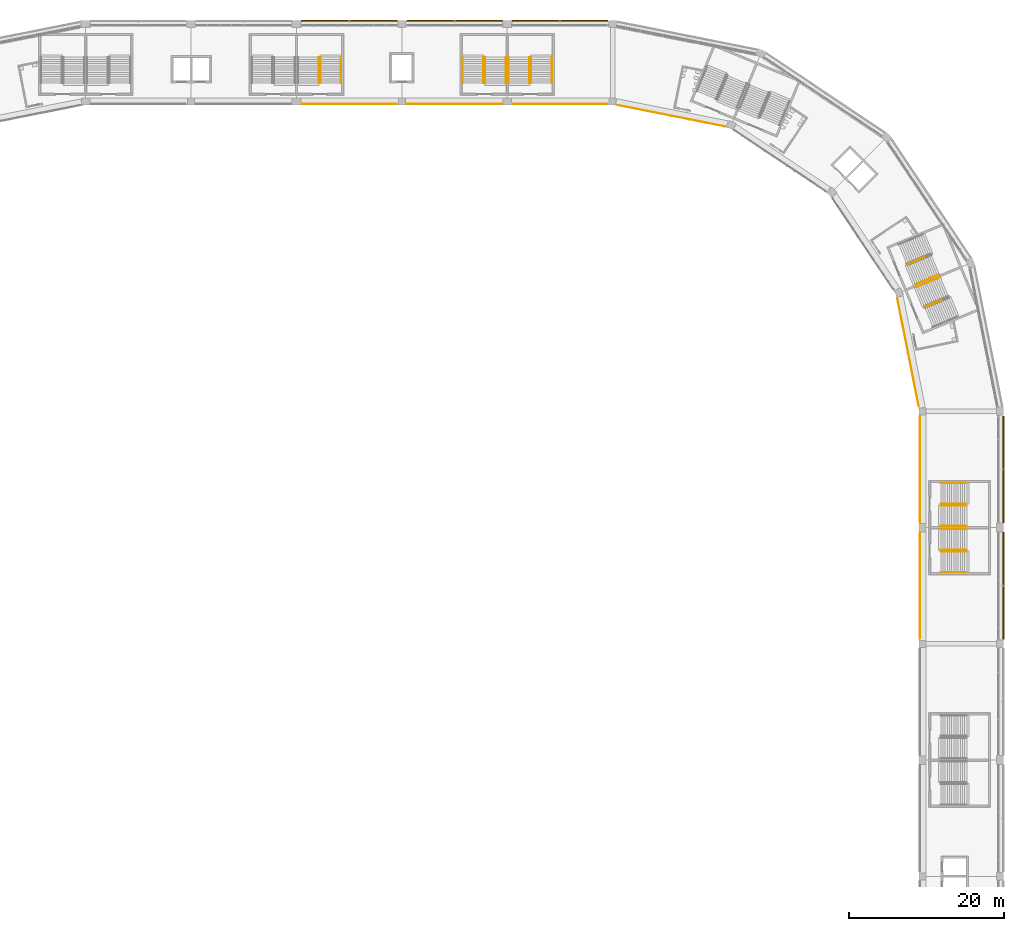
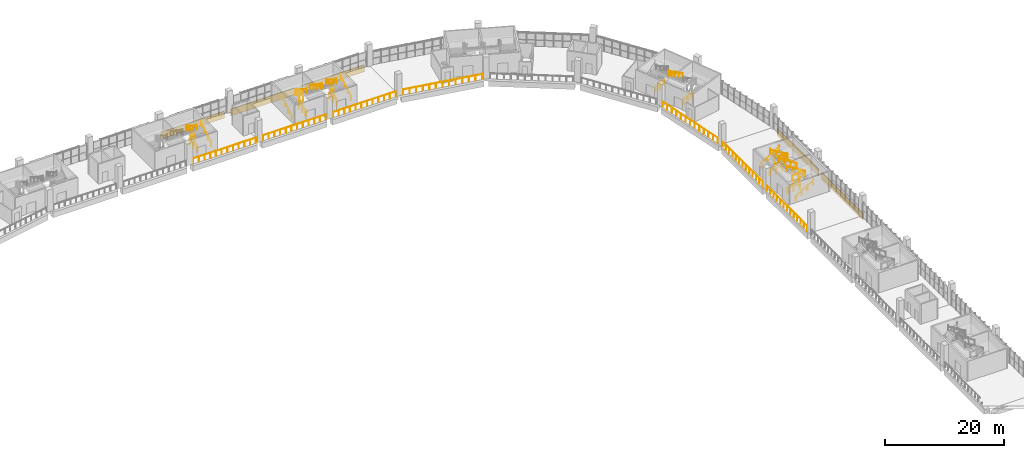
# One storey, part 170 of 177: 40 railings, 5 coverings.
"""IFC4 building model written with IfcOpenShell, lengths in metres."""

from ifc_helpers import new_model, si_unit, direction, frame, origin, origin_2d, place, context, subcontext, project, spatial, polyline, circle, outline, extrude, material, layer, layer_set, type_object, element, save


model = new_model("IFC4")

# Units and contexts
model_context = context("Model", 3, precision=1e-05, world=origin(), true_north=direction((0.0, 1.0)))
body_context = subcontext(model_context, "Body", "Model", "MODEL_VIEW")
ifc_project = project(units=[si_unit("LENGTHUNIT", "METRE"), si_unit("AREAUNIT", "SQUARE_METRE"), si_unit("VOLUMEUNIT", "CUBIC_METRE"), si_unit("PLANEANGLEUNIT", "RADIAN"), si_unit("MASSUNIT", "GRAM", prefix="KILO")], contexts=[model_context])

# Site, building, storey
site_placement = place(None, origin())
site = spatial("IfcSite", under=ifc_project, at=site_placement, CompositionType="ELEMENT")
building_placement = place(site_placement, origin())
building = spatial("IfcBuilding", under=site, at=building_placement, Name="Ogive Plaza Stadium", CompositionType="ELEMENT")
storey_placement = place(building_placement, frame((0.0, 0.0, 18.0)))
storey = spatial("IfcBuildingStorey", under=building, at=storey_placement, Name="L04", CompositionType="ELEMENT", Elevation=18.0)

# Railings
ifc_material_1 = material(Name="Steel ASTM A572 Grade 50", Category="steel")
railing_type_1 = type_object("IfcRailingType", Name="Guard 1100", PredefinedType="GUARDRAIL", material=ifc_material_1)
for number, where, name in (
    (1, (76.35009765625, 34.52490234375, 0.0), "Stair well guard ST02A L04"),
    (2, (77.31005859375, 34.52490234375, 2.25), "Stair well guard ST02A L04"),
    (3, (76.35009765625, 40.47509765625, 0.0), "Stair well guard ST02B L04"),
    (4, (77.31005859375, 40.47509765625, 2.25), "Stair well guard ST02B L04"),
):
    element("IfcRailing", number, at=place(storey_placement, frame(where)), inside=storey, type_object=railing_type_1, Name=name, PredefinedType="GUARDRAIL", context=body_context, shape_type="SweptSolid", body=[
        extrude(circle(Radius=0.02392578125, at=origin_2d()), frame((0.0, 0.0, 1.076171875), z_axis=(1.0, 0.0, 0.0), x_axis=(0.0, 1.0, 0.0)), (0.0, 0.0, 1.0), 2.39990234375),
        extrude(circle(Radius=0.02099609375, at=origin_2d()), origin(), (0.0, 0.0, 1.0), 1.052001953125),
        extrude(circle(Radius=0.02099609375, at=origin_2d()), frame((1.199951171875, 0.0, 0.0)), (0.0, 0.0, 1.0), 1.052001953125),
        extrude(circle(Radius=0.02099609375, at=origin_2d()), frame((2.39990234375, 0.0, 0.0)), (0.0, 0.0, 1.0), 1.052001953125),
    ])
for number, where, name in (
    (5, (-3.824951171875, 94.85009765625, 0.0), "Stair well guard ST34A L04"),
    (6, (-3.824951171875, 95.81005859375, 2.25), "Stair well guard ST34A L04"),
    (7, (23.375, 94.85009765625, 0.0), "Stair well guard ST36A L04"),
    (8, (23.375, 95.81005859375, 2.25), "Stair well guard ST36A L04"),
    (9, (17.425048828125, 94.85009765625, 0.0), "Stair well guard ST36B L04"),
    (10, (17.425048828125, 95.81005859375, 2.25), "Stair well guard ST36B L04"),
):
    element("IfcRailing", number, at=place(storey_placement, frame(where)), inside=storey, type_object=railing_type_1, Name=name, PredefinedType="GUARDRAIL", context=body_context, shape_type="SweptSolid", body=[
        extrude(circle(Radius=0.02392578125, at=origin_2d()), frame((0.0, 0.0, 1.076171875), z_axis=(0.0, 1.0, 0.0), x_axis=(-1.0, 0.0, 0.0)), (0.0, 0.0, 1.0), 2.39990234375),
        extrude(circle(Radius=0.02099609375, at=origin_2d()), origin(), (0.0, 0.0, 1.0), 1.052001953125),
        extrude(circle(Radius=0.02099609375, at=origin_2d()), frame((0.0, 1.199951171875, 0.0)), (0.0, 0.0, 1.0), 1.052001953125),
        extrude(circle(Radius=0.02099609375, at=origin_2d()), frame((0.0, 2.39990234375, 0.0)), (0.0, 0.0, 1.0), 1.052001953125),
    ])
for number, where, name in (
    (11, (74.264892578125, 65.9580078125, 0.0), "Stair well guard ST40A L04"),
    (12, (71.98779296875, 71.455078125, 0.0), "Stair well guard ST40B L04"),
):
    element("IfcRailing", number, at=place(storey_placement, frame(where)), inside=storey, type_object=railing_type_1, Name=name, PredefinedType="GUARDRAIL", context=body_context, shape_type="SweptSolid", body=[
        extrude(circle(Radius=0.02392578125, at=origin_2d()), frame((0.0, 0.0, 1.076171875), z_axis=(0.923875488976, 0.382693194178, 0.0), x_axis=(-0.382693194178, 0.923875488976, 0.0)), (0.0, 0.0, 1.0), 2.39990234375),
        extrude(circle(Radius=0.02099609375, at=origin_2d()), origin(), (0.0, 0.0, 1.0), 1.052001953125),
        extrude(circle(Radius=0.02099609375, at=origin_2d()), frame((1.108642578125, 0.459228515625, 0.0)), (0.0, 0.0, 1.0), 1.052001953125),
        extrude(circle(Radius=0.02099609375, at=origin_2d()), frame((2.21728515625, 0.91845703125, 0.0)), (0.0, 0.0, 1.0), 1.052001953125),
    ])
railing_1_placement = place(storey_placement, frame((73.64990234375, 51.800048828125, 0.0)))
element("IfcRailing", 13, at=railing_1_placement, inside=storey, type_object=railing_type_1, Name="Guard L04 B01", PredefinedType="GUARDRAIL", context=body_context, shape_type="SweptSolid", body=[
    extrude(circle(Radius=0.02392578125, at=origin_2d()), frame((0.0, 0.0, 1.076171875), z_axis=(0.0, -1.0, 0.0), x_axis=(1.0, 0.0, 0.0)), (0.0, 0.0, 1.0), 13.60009765625),
    extrude(circle(Radius=0.02099609375, at=origin_2d()), origin(), (0.0, 0.0, 1.0), 1.052001953125),
    extrude(circle(Radius=0.02099609375, at=origin_2d()), frame((0.0, -1.13330078125, 0.0)), (0.0, 0.0, 1.0), 1.052001953125),
    extrude(circle(Radius=0.02099609375, at=origin_2d()), frame((0.0, -2.2666015625, 0.0)), (0.0, 0.0, 1.0), 1.052001953125),
    extrude(circle(Radius=0.02099609375, at=origin_2d()), frame((0.0, -3.39990234375, 0.0)), (0.0, 0.0, 1.0), 1.052001953125),
    extrude(circle(Radius=0.02099609375, at=origin_2d()), frame((0.0, -4.533447265625, 0.0)), (0.0, 0.0, 1.0), 1.052001953125),
    extrude(circle(Radius=0.02099609375, at=origin_2d()), frame((0.0, -5.666748046875, 0.0)), (0.0, 0.0, 1.0), 1.052001953125),
    extrude(circle(Radius=0.02099609375, at=origin_2d()), frame((0.0, -6.800048828125, 0.0)), (0.0, 0.0, 1.0), 1.052001953125),
    extrude(circle(Radius=0.02099609375, at=origin_2d()), frame((0.0, -7.933349609375, 0.0)), (0.0, 0.0, 1.0), 1.052001953125),
    extrude(circle(Radius=0.02099609375, at=origin_2d()), frame((0.0, -9.066650390625, 0.0)), (0.0, 0.0, 1.0), 1.052001953125),
    extrude(circle(Radius=0.02099609375, at=origin_2d()), frame((0.0, -10.2001953125, 0.0)), (0.0, 0.0, 1.0), 1.052001953125),
    extrude(circle(Radius=0.02099609375, at=origin_2d()), frame((0.0, -11.33349609375, 0.0)), (0.0, 0.0, 1.0), 1.052001953125),
    extrude(circle(Radius=0.02099609375, at=origin_2d()), frame((0.0, -12.466796875, 0.0)), (0.0, 0.0, 1.0), 1.052001953125),
    extrude(circle(Radius=0.02099609375, at=origin_2d()), frame((0.0, -13.60009765625, 0.0)), (0.0, 0.0, 1.0), 1.052001953125),
])
railing_2_placement = place(storey_placement, frame((73.64990234375, 36.800048828125, 0.0)))
element("IfcRailing", 14, at=railing_2_placement, inside=storey, type_object=railing_type_1, Name="Guard L04 B02", PredefinedType="GUARDRAIL", context=body_context, shape_type="SweptSolid", body=[
    extrude(circle(Radius=0.02392578125, at=origin_2d()), frame((0.0, 0.0, 1.076171875), z_axis=(0.0, -1.0, 0.0), x_axis=(1.0, 0.0, 0.0)), (0.0, 0.0, 1.0), 13.60009765625),
    extrude(circle(Radius=0.02099609375, at=origin_2d()), origin(), (0.0, 0.0, 1.0), 1.052001953125),
    extrude(circle(Radius=0.02099609375, at=origin_2d()), frame((0.0, -1.13330078125, 0.0)), (0.0, 0.0, 1.0), 1.052001953125),
    extrude(circle(Radius=0.02099609375, at=origin_2d()), frame((0.0, -2.2666015625, 0.0)), (0.0, 0.0, 1.0), 1.052001953125),
    extrude(circle(Radius=0.02099609375, at=origin_2d()), frame((0.0, -3.39990234375, 0.0)), (0.0, 0.0, 1.0), 1.052001953125),
    extrude(circle(Radius=0.02099609375, at=origin_2d()), frame((0.0, -4.533447265625, 0.0)), (0.0, 0.0, 1.0), 1.052001953125),
    extrude(circle(Radius=0.02099609375, at=origin_2d()), frame((0.0, -5.666748046875, 0.0)), (0.0, 0.0, 1.0), 1.052001953125),
    extrude(circle(Radius=0.02099609375, at=origin_2d()), frame((0.0, -6.800048828125, 0.0)), (0.0, 0.0, 1.0), 1.052001953125),
    extrude(circle(Radius=0.02099609375, at=origin_2d()), frame((0.0, -7.933349609375, 0.0)), (0.0, 0.0, 1.0), 1.052001953125),
    extrude(circle(Radius=0.02099609375, at=origin_2d()), frame((0.0, -9.066650390625, 0.0)), (0.0, 0.0, 1.0), 1.052001953125),
    extrude(circle(Radius=0.02099609375, at=origin_2d()), frame((0.0, -10.2001953125, 0.0)), (0.0, 0.0, 1.0), 1.052001953125),
    extrude(circle(Radius=0.02099609375, at=origin_2d()), frame((0.0, -11.33349609375, 0.0)), (0.0, 0.0, 1.0), 1.052001953125),
    extrude(circle(Radius=0.02099609375, at=origin_2d()), frame((0.0, -12.466796875, 0.0)), (0.0, 0.0, 1.0), 1.052001953125),
    extrude(circle(Radius=0.02099609375, at=origin_2d()), frame((0.0, -13.60009765625, 0.0)), (0.0, 0.0, 1.0), 1.052001953125),
])
railing_3_placement = place(storey_placement, frame((-6.10009765625, 92.14990234375, 0.0)))
element("IfcRailing", 15, at=railing_3_placement, inside=storey, type_object=railing_type_1, Name="Guard L04 B34", PredefinedType="GUARDRAIL", context=body_context, shape_type="SweptSolid", body=[
    extrude(circle(Radius=0.02392578125, at=origin_2d()), frame((0.0, 0.0, 1.076171875), z_axis=(1.0, 0.0, 0.0), x_axis=(0.0, 1.0, 0.0)), (0.0, 0.0, 1.0), 12.2001953125),
    extrude(circle(Radius=0.02099609375, at=origin_2d()), origin(), (0.0, 0.0, 1.0), 1.052001953125),
    extrude(circle(Radius=0.02099609375, at=origin_2d()), frame((1.109130859375, 0.0, 0.0)), (0.0, 0.0, 1.0), 1.052001953125),
    extrude(circle(Radius=0.02099609375, at=origin_2d()), frame((2.21826171875, 0.0, 0.0)), (0.0, 0.0, 1.0), 1.052001953125),
    extrude(circle(Radius=0.02099609375, at=origin_2d()), frame((3.327392578125, 0.0, 0.0)), (0.0, 0.0, 1.0), 1.052001953125),
    extrude(circle(Radius=0.02099609375, at=origin_2d()), frame((4.4365234375, 0.0, 0.0)), (0.0, 0.0, 1.0), 1.052001953125),
    extrude(circle(Radius=0.02099609375, at=origin_2d()), frame((5.545654296875, 0.0, 0.0)), (0.0, 0.0, 1.0), 1.052001953125),
    extrude(circle(Radius=0.02099609375, at=origin_2d()), frame((6.654541015625, 0.0, 0.0)), (0.0, 0.0, 1.0), 1.052001953125),
    extrude(circle(Radius=0.02099609375, at=origin_2d()), frame((7.763671875, 0.0, 0.0)), (0.0, 0.0, 1.0), 1.052001953125),
    extrude(circle(Radius=0.02099609375, at=origin_2d()), frame((8.872802734375, 0.0, 0.0)), (0.0, 0.0, 1.0), 1.052001953125),
    extrude(circle(Radius=0.02099609375, at=origin_2d()), frame((9.98193359375, 0.0, 0.0)), (0.0, 0.0, 1.0), 1.052001953125),
    extrude(circle(Radius=0.02099609375, at=origin_2d()), frame((11.091064453125, 0.0, 0.0)), (0.0, 0.0, 1.0), 1.052001953125),
    extrude(circle(Radius=0.02099609375, at=origin_2d()), frame((12.2001953125, 0.0, 0.0)), (0.0, 0.0, 1.0), 1.052001953125),
])
for number, where, name in (
    (16, (7.5, 92.14990234375, 0.0), "Guard L04 B35"),
    (17, (21.10009765625, 92.14990234375, 0.0), "Guard L04 B36"),
):
    element("IfcRailing", number, at=place(storey_placement, frame(where)), inside=storey, type_object=railing_type_1, Name=name, PredefinedType="GUARDRAIL", context=body_context, shape_type="SweptSolid", body=[
        extrude(circle(Radius=0.02392578125, at=origin_2d()), frame((0.0, 0.0, 1.076171875), z_axis=(1.0, 0.0, 0.0), x_axis=(0.0, 1.0, 0.0)), (0.0, 0.0, 1.0), 12.199951171875),
        extrude(circle(Radius=0.02099609375, at=origin_2d()), origin(), (0.0, 0.0, 1.0), 1.052001953125),
        extrude(circle(Radius=0.02099609375, at=origin_2d()), frame((1.109130859375, 0.0, 0.0)), (0.0, 0.0, 1.0), 1.052001953125),
        extrude(circle(Radius=0.02099609375, at=origin_2d()), frame((2.21826171875, 0.0, 0.0)), (0.0, 0.0, 1.0), 1.052001953125),
        extrude(circle(Radius=0.02099609375, at=origin_2d()), frame((3.3271484375, 0.0, 0.0)), (0.0, 0.0, 1.0), 1.052001953125),
        extrude(circle(Radius=0.02099609375, at=origin_2d()), frame((4.436279296875, 0.0, 0.0)), (0.0, 0.0, 1.0), 1.052001953125),
        extrude(circle(Radius=0.02099609375, at=origin_2d()), frame((5.54541015625, 0.0, 0.0)), (0.0, 0.0, 1.0), 1.052001953125),
        extrude(circle(Radius=0.02099609375, at=origin_2d()), frame((6.654541015625, 0.0, 0.0)), (0.0, 0.0, 1.0), 1.052001953125),
        extrude(circle(Radius=0.02099609375, at=origin_2d()), frame((7.763671875, 0.0, 0.0)), (0.0, 0.0, 1.0), 1.052001953125),
        extrude(circle(Radius=0.02099609375, at=origin_2d()), frame((8.872802734375, 0.0, 0.0)), (0.0, 0.0, 1.0), 1.052001953125),
        extrude(circle(Radius=0.02099609375, at=origin_2d()), frame((9.981689453125, 0.0, 0.0)), (0.0, 0.0, 1.0), 1.052001953125),
        extrude(circle(Radius=0.02099609375, at=origin_2d()), frame((11.0908203125, 0.0, 0.0)), (0.0, 0.0, 1.0), 1.052001953125),
        extrude(circle(Radius=0.02099609375, at=origin_2d()), frame((12.199951171875, 0.0, 0.0)), (0.0, 0.0, 1.0), 1.052001953125),
    ])
railing_4_placement = place(storey_placement, frame((34.6865234375, 92.013427734375, 0.0)))
element("IfcRailing", 18, at=railing_4_placement, inside=storey, type_object=railing_type_1, Name="Guard L04 B37", PredefinedType="GUARDRAIL", context=body_context, shape_type="SweptSolid", body=[
    extrude(circle(Radius=0.02392578125, at=origin_2d()), frame((0.0, 0.0, 1.076171875), z_axis=(0.980784352387, -0.195094987408, 0.0), x_axis=(0.195094987408, 0.980784352387, 0.0)), (0.0, 0.0, 1.0), 14.070556640625),
    extrude(circle(Radius=0.02099609375, at=origin_2d()), origin(), (0.0, 0.0, 1.0), 1.052001953125),
    extrude(circle(Radius=0.02099609375, at=origin_2d()), frame((1.14990234375, -0.228759765625, 0.0)), (0.0, 0.0, 1.0), 1.052001953125),
    extrude(circle(Radius=0.02099609375, at=origin_2d()), frame((2.300048828125, -0.45751953125, 0.0)), (0.0, 0.0, 1.0), 1.052001953125),
    extrude(circle(Radius=0.02099609375, at=origin_2d()), frame((3.4501953125, -0.686279296875, 0.0)), (0.0, 0.0, 1.0), 1.052001953125),
    extrude(circle(Radius=0.02099609375, at=origin_2d()), frame((4.60009765625, -0.9150390625, 0.0)), (0.0, 0.0, 1.0), 1.052001953125),
    extrude(circle(Radius=0.02099609375, at=origin_2d()), frame((5.75, -1.143798828125, 0.0)), (0.0, 0.0, 1.0), 1.052001953125),
    extrude(circle(Radius=0.02099609375, at=origin_2d()), frame((6.900146484375, -1.37255859375, 0.0)), (0.0, 0.0, 1.0), 1.052001953125),
    extrude(circle(Radius=0.02099609375, at=origin_2d()), frame((8.05029296875, -1.601318359375, 0.0)), (0.0, 0.0, 1.0), 1.052001953125),
    extrude(circle(Radius=0.02099609375, at=origin_2d()), frame((9.2001953125, -1.830078125, 0.0)), (0.0, 0.0, 1.0), 1.052001953125),
    extrude(circle(Radius=0.02099609375, at=origin_2d()), frame((10.35009765625, -2.058837890625, 0.0)), (0.0, 0.0, 1.0), 1.052001953125),
    extrude(circle(Radius=0.02099609375, at=origin_2d()), frame((11.500244140625, -2.28759765625, 0.0)), (0.0, 0.0, 1.0), 1.052001953125),
    extrude(circle(Radius=0.02099609375, at=origin_2d()), frame((12.650390625, -2.516357421875, 0.0)), (0.0, 0.0, 1.0), 1.052001953125),
    extrude(circle(Radius=0.02099609375, at=origin_2d()), frame((13.80029296875, -2.7451171875, 0.0)), (0.0, 0.0, 1.0), 1.052001953125),
])
railing_5_placement = place(storey_placement, frame((70.768310546875, 66.98681640625, 0.0)))
element("IfcRailing", 19, at=railing_5_placement, inside=storey, type_object=railing_type_1, Name="Guard L04 B40", PredefinedType="GUARDRAIL", context=body_context, shape_type="SweptSolid", body=[
    extrude(circle(Radius=0.02392578125, at=origin_2d()), frame((0.0, 0.0, 1.076171875), z_axis=(0.195094987408, -0.980784352387, 0.0), x_axis=(0.980784352387, 0.195094987408, 0.0)), (0.0, 0.0, 1.0), 14.070556640625),
    extrude(circle(Radius=0.02099609375, at=origin_2d()), origin(), (0.0, 0.0, 1.0), 1.052001953125),
    extrude(circle(Radius=0.02099609375, at=origin_2d()), frame((0.228759765625, -1.14990234375, 0.0)), (0.0, 0.0, 1.0), 1.052001953125),
    extrude(circle(Radius=0.02099609375, at=origin_2d()), frame((0.45751953125, -2.300048828125, 0.0)), (0.0, 0.0, 1.0), 1.052001953125),
    extrude(circle(Radius=0.02099609375, at=origin_2d()), frame((0.686279296875, -3.4501953125, 0.0)), (0.0, 0.0, 1.0), 1.052001953125),
    extrude(circle(Radius=0.02099609375, at=origin_2d()), frame((0.9150390625, -4.60009765625, 0.0)), (0.0, 0.0, 1.0), 1.052001953125),
    extrude(circle(Radius=0.02099609375, at=origin_2d()), frame((1.143798828125, -5.75, 0.0)), (0.0, 0.0, 1.0), 1.052001953125),
    extrude(circle(Radius=0.02099609375, at=origin_2d()), frame((1.37255859375, -6.900146484375, 0.0)), (0.0, 0.0, 1.0), 1.052001953125),
    extrude(circle(Radius=0.02099609375, at=origin_2d()), frame((1.601318359375, -8.05029296875, 0.0)), (0.0, 0.0, 1.0), 1.052001953125),
    extrude(circle(Radius=0.02099609375, at=origin_2d()), frame((1.830078125, -9.2001953125, 0.0)), (0.0, 0.0, 1.0), 1.052001953125),
    extrude(circle(Radius=0.02099609375, at=origin_2d()), frame((2.058837890625, -10.35009765625, 0.0)), (0.0, 0.0, 1.0), 1.052001953125),
    extrude(circle(Radius=0.02099609375, at=origin_2d()), frame((2.28759765625, -11.500244140625, 0.0)), (0.0, 0.0, 1.0), 1.052001953125),
    extrude(circle(Radius=0.02099609375, at=origin_2d()), frame((2.516357421875, -12.650390625, 0.0)), (0.0, 0.0, 1.0), 1.052001953125),
    extrude(circle(Radius=0.02099609375, at=origin_2d()), frame((2.7451171875, -13.80029296875, 0.0)), (0.0, 0.0, 1.0), 1.052001953125),
])
ifc_material_2 = material(Name="Steel ASTM A572 Grade 50", Category="steel")
railing_type_2 = type_object("IfcRailingType", Name="Handrail 900", PredefinedType="HANDRAIL", material=ifc_material_2)
for number, where, name in (
    (20, (76.35009765625, 31.735107421875, 0.173095703125), "Handrail ST02A L04"),
    (21, (76.35009765625, 34.4150390625, 0.173095703125), "Handrail ST02A L04"),
):
    element("IfcRailing", number, at=place(storey_placement, frame(where)), inside=storey, type_object=railing_type_2, Name=name, PredefinedType="HANDRAIL", context=body_context, shape_type="SweptSolid", body=[
        extrude(circle(Radius=0.02392578125, at=origin_2d()), frame((0.0, 0.0, 0.8759765625), z_axis=(0.850606129759, 0.0, 0.525803396734), x_axis=(0.0, 1.0, 0.0)), (0.0, 0.0, 1.0), 3.949951171875),
        extrude(circle(Radius=0.02099609375, at=origin_2d()), origin(), (0.0, 0.0, 1.0), 0.851806640625),
        extrude(circle(Radius=0.02099609375, at=origin_2d()), frame((1.119873046875, 0.0, 0.6923828125)), (0.0, 0.0, 1.0), 0.851806640625),
        extrude(circle(Radius=0.02099609375, at=origin_2d()), frame((2.239990234375, 0.0, 1.384521484375)), (0.0, 0.0, 1.0), 0.851806640625),
        extrude(circle(Radius=0.02099609375, at=origin_2d()), frame((3.35986328125, 0.0, 2.076904296875)), (0.0, 0.0, 1.0), 1.10009765625),
    ])
for number, where, name in (
    (22, (79.7099609375, 34.635009765625, 2.423095703125), "Handrail ST02A L04"),
    (23, (79.7099609375, 37.31494140625, 2.423095703125), "Handrail ST02A L04"),
):
    element("IfcRailing", number, at=place(storey_placement, frame(where)), inside=storey, type_object=railing_type_2, Name=name, PredefinedType="HANDRAIL", context=body_context, shape_type="SweptSolid", body=[
        extrude(circle(Radius=0.02392578125, at=origin_2d()), frame((0.0, 0.0, 0.8759765625), z_axis=(-0.850606129759, 0.0, 0.525803396734), x_axis=(0.0, -1.0, 0.0)), (0.0, 0.0, 1.0), 3.949951171875),
        extrude(circle(Radius=0.02099609375, at=origin_2d()), origin(), (0.0, 0.0, 1.0), 0.851806640625),
        extrude(circle(Radius=0.02099609375, at=origin_2d()), frame((-1.119873046875, 0.0, 0.6923828125)), (0.0, 0.0, 1.0), 0.851806640625),
        extrude(circle(Radius=0.02099609375, at=origin_2d()), frame((-2.239990234375, 0.0, 1.384521484375)), (0.0, 0.0, 1.0), 0.851806640625),
        extrude(circle(Radius=0.02099609375, at=origin_2d()), frame((-3.35986328125, 0.0, 2.076904296875)), (0.0, 0.0, 1.0), 1.10009765625),
    ])
for number, where, name in (
    (24, (76.35009765625, 40.5849609375, 0.173095703125), "Handrail ST02B L04"),
    (25, (76.35009765625, 43.264892578125, 0.173095703125), "Handrail ST02B L04"),
):
    element("IfcRailing", number, at=place(storey_placement, frame(where)), inside=storey, type_object=railing_type_2, Name=name, PredefinedType="HANDRAIL", context=body_context, shape_type="SweptSolid", body=[
        extrude(circle(Radius=0.02392578125, at=origin_2d()), frame((0.0, 0.0, 0.8759765625), z_axis=(0.850606129759, 0.0, 0.525803396734), x_axis=(0.0, 1.0, 0.0)), (0.0, 0.0, 1.0), 3.949951171875),
        extrude(circle(Radius=0.02099609375, at=origin_2d()), origin(), (0.0, 0.0, 1.0), 0.851806640625),
        extrude(circle(Radius=0.02099609375, at=origin_2d()), frame((1.119873046875, 0.0, 0.6923828125)), (0.0, 0.0, 1.0), 0.851806640625),
        extrude(circle(Radius=0.02099609375, at=origin_2d()), frame((2.239990234375, 0.0, 1.384521484375)), (0.0, 0.0, 1.0), 0.851806640625),
        extrude(circle(Radius=0.02099609375, at=origin_2d()), frame((3.35986328125, 0.0, 2.076904296875)), (0.0, 0.0, 1.0), 1.10009765625),
    ])
for number, where, name in (
    (26, (79.7099609375, 37.68505859375, 2.423095703125), "Handrail ST02B L04"),
    (27, (79.7099609375, 40.364990234375, 2.423095703125), "Handrail ST02B L04"),
):
    element("IfcRailing", number, at=place(storey_placement, frame(where)), inside=storey, type_object=railing_type_2, Name=name, PredefinedType="HANDRAIL", context=body_context, shape_type="SweptSolid", body=[
        extrude(circle(Radius=0.02392578125, at=origin_2d()), frame((0.0, 0.0, 0.8759765625), z_axis=(-0.850606129759, 0.0, 0.525803396734), x_axis=(0.0, -1.0, 0.0)), (0.0, 0.0, 1.0), 3.949951171875),
        extrude(circle(Radius=0.02099609375, at=origin_2d()), origin(), (0.0, 0.0, 1.0), 0.851806640625),
        extrude(circle(Radius=0.02099609375, at=origin_2d()), frame((-1.119873046875, 0.0, 0.6923828125)), (0.0, 0.0, 1.0), 0.851806640625),
        extrude(circle(Radius=0.02099609375, at=origin_2d()), frame((-2.239990234375, 0.0, 1.384521484375)), (0.0, 0.0, 1.0), 0.851806640625),
        extrude(circle(Radius=0.02099609375, at=origin_2d()), frame((-3.35986328125, 0.0, 2.076904296875)), (0.0, 0.0, 1.0), 1.10009765625),
    ])
for number, where, name in (
    (28, (-1.034912109375, 94.85009765625, 0.173095703125), "Handrail ST34A L04"),
    (29, (-3.715087890625, 94.85009765625, 0.173095703125), "Handrail ST34A L04"),
):
    element("IfcRailing", number, at=place(storey_placement, frame(where)), inside=storey, type_object=railing_type_2, Name=name, PredefinedType="HANDRAIL", context=body_context, shape_type="SweptSolid", body=[
        extrude(circle(Radius=0.02392578125, at=origin_2d()), frame((0.0, 0.0, 0.8759765625), z_axis=(0.0, 0.850606129759, 0.525803396734), x_axis=(-1.0, 0.0, 0.0)), (0.0, 0.0, 1.0), 3.949951171875),
        extrude(circle(Radius=0.02099609375, at=origin_2d()), origin(), (0.0, 0.0, 1.0), 0.851806640625),
        extrude(circle(Radius=0.02099609375, at=origin_2d()), frame((0.0, 1.119873046875, 0.6923828125)), (0.0, 0.0, 1.0), 0.851806640625),
        extrude(circle(Radius=0.02099609375, at=origin_2d()), frame((0.0, 2.239990234375, 1.384521484375)), (0.0, 0.0, 1.0), 0.851806640625),
        extrude(circle(Radius=0.02099609375, at=origin_2d()), frame((0.0, 3.35986328125, 2.076904296875)), (0.0, 0.0, 1.0), 1.10009765625),
    ])
railing_6_placement = place(storey_placement, frame((-3.93505859375, 98.2099609375, 2.423095703125)))
element("IfcRailing", 30, at=railing_6_placement, inside=storey, type_object=railing_type_2, Name="Handrail ST34A L04", PredefinedType="HANDRAIL", context=body_context, shape_type="SweptSolid", body=[
    extrude(circle(Radius=0.02392578125, at=origin_2d()), frame((0.0, 0.0, 0.8759765625), z_axis=(0.0, -0.850606129759, 0.525803396734), x_axis=(1.0, 0.0, 0.0)), (0.0, 0.0, 1.0), 3.949951171875),
    extrude(circle(Radius=0.02099609375, at=origin_2d()), origin(), (0.0, 0.0, 1.0), 0.851806640625),
    extrude(circle(Radius=0.02099609375, at=origin_2d()), frame((0.0, -1.119873046875, 0.6923828125)), (0.0, 0.0, 1.0), 0.851806640625),
    extrude(circle(Radius=0.02099609375, at=origin_2d()), frame((0.0, -2.239990234375, 1.384521484375)), (0.0, 0.0, 1.0), 0.851806640625),
    extrude(circle(Radius=0.02099609375, at=origin_2d()), frame((0.0, -3.35986328125, 2.076904296875)), (0.0, 0.0, 1.0), 1.10009765625),
])
for number, where, name in (
    (31, (26.1650390625, 94.85009765625, 0.173095703125), "Handrail ST36A L04"),
    (32, (23.485107421875, 94.85009765625, 0.173095703125), "Handrail ST36A L04"),
):
    element("IfcRailing", number, at=place(storey_placement, frame(where)), inside=storey, type_object=railing_type_2, Name=name, PredefinedType="HANDRAIL", context=body_context, shape_type="SweptSolid", body=[
        extrude(circle(Radius=0.02392578125, at=origin_2d()), frame((0.0, 0.0, 0.8759765625), z_axis=(0.0, 0.850606129759, 0.525803396734), x_axis=(-1.0, 0.0, 0.0)), (0.0, 0.0, 1.0), 3.949951171875),
        extrude(circle(Radius=0.02099609375, at=origin_2d()), origin(), (0.0, 0.0, 1.0), 0.851806640625),
        extrude(circle(Radius=0.02099609375, at=origin_2d()), frame((0.0, 1.119873046875, 0.6923828125)), (0.0, 0.0, 1.0), 0.851806640625),
        extrude(circle(Radius=0.02099609375, at=origin_2d()), frame((0.0, 2.239990234375, 1.384521484375)), (0.0, 0.0, 1.0), 0.851806640625),
        extrude(circle(Radius=0.02099609375, at=origin_2d()), frame((0.0, 3.35986328125, 2.076904296875)), (0.0, 0.0, 1.0), 1.10009765625),
    ])
for number, where, name in (
    (33, (23.264892578125, 98.2099609375, 2.423095703125), "Handrail ST36A L04"),
    (34, (20.5849609375, 98.2099609375, 2.423095703125), "Handrail ST36A L04"),
):
    element("IfcRailing", number, at=place(storey_placement, frame(where)), inside=storey, type_object=railing_type_2, Name=name, PredefinedType="HANDRAIL", context=body_context, shape_type="SweptSolid", body=[
        extrude(circle(Radius=0.02392578125, at=origin_2d()), frame((0.0, 0.0, 0.8759765625), z_axis=(0.0, -0.850606129759, 0.525803396734), x_axis=(1.0, 0.0, 0.0)), (0.0, 0.0, 1.0), 3.949951171875),
        extrude(circle(Radius=0.02099609375, at=origin_2d()), origin(), (0.0, 0.0, 1.0), 0.851806640625),
        extrude(circle(Radius=0.02099609375, at=origin_2d()), frame((0.0, -1.119873046875, 0.6923828125)), (0.0, 0.0, 1.0), 0.851806640625),
        extrude(circle(Radius=0.02099609375, at=origin_2d()), frame((0.0, -2.239990234375, 1.384521484375)), (0.0, 0.0, 1.0), 0.851806640625),
        extrude(circle(Radius=0.02099609375, at=origin_2d()), frame((0.0, -3.35986328125, 2.076904296875)), (0.0, 0.0, 1.0), 1.10009765625),
    ])
for number, where, name in (
    (35, (17.31494140625, 94.85009765625, 0.173095703125), "Handrail ST36B L04"),
    (36, (14.635009765625, 94.85009765625, 0.173095703125), "Handrail ST36B L04"),
):
    element("IfcRailing", number, at=place(storey_placement, frame(where)), inside=storey, type_object=railing_type_2, Name=name, PredefinedType="HANDRAIL", context=body_context, shape_type="SweptSolid", body=[
        extrude(circle(Radius=0.02392578125, at=origin_2d()), frame((0.0, 0.0, 0.8759765625), z_axis=(0.0, 0.850606129759, 0.525803396734), x_axis=(-1.0, 0.0, 0.0)), (0.0, 0.0, 1.0), 3.949951171875),
        extrude(circle(Radius=0.02099609375, at=origin_2d()), origin(), (0.0, 0.0, 1.0), 0.851806640625),
        extrude(circle(Radius=0.02099609375, at=origin_2d()), frame((0.0, 1.119873046875, 0.6923828125)), (0.0, 0.0, 1.0), 0.851806640625),
        extrude(circle(Radius=0.02099609375, at=origin_2d()), frame((0.0, 2.239990234375, 1.384521484375)), (0.0, 0.0, 1.0), 0.851806640625),
        extrude(circle(Radius=0.02099609375, at=origin_2d()), frame((0.0, 3.35986328125, 2.076904296875)), (0.0, 0.0, 1.0), 1.10009765625),
    ])
for number, where, name in (
    (37, (20.215087890625, 98.2099609375, 2.423095703125), "Handrail ST36B L04"),
    (38, (17.534912109375, 98.2099609375, 2.423095703125), "Handrail ST36B L04"),
):
    element("IfcRailing", number, at=place(storey_placement, frame(where)), inside=storey, type_object=railing_type_2, Name=name, PredefinedType="HANDRAIL", context=body_context, shape_type="SweptSolid", body=[
        extrude(circle(Radius=0.02392578125, at=origin_2d()), frame((0.0, 0.0, 0.8759765625), z_axis=(0.0, -0.850606129759, 0.525803396734), x_axis=(1.0, 0.0, 0.0)), (0.0, 0.0, 1.0), 3.949951171875),
        extrude(circle(Radius=0.02099609375, at=origin_2d()), origin(), (0.0, 0.0, 1.0), 0.851806640625),
        extrude(circle(Radius=0.02099609375, at=origin_2d()), frame((0.0, -1.119873046875, 0.6923828125)), (0.0, 0.0, 1.0), 0.851806640625),
        extrude(circle(Radius=0.02099609375, at=origin_2d()), frame((0.0, -2.239990234375, 1.384521484375)), (0.0, 0.0, 1.0), 0.851806640625),
        extrude(circle(Radius=0.02099609375, at=origin_2d()), frame((0.0, -3.35986328125, 2.076904296875)), (0.0, 0.0, 1.0), 1.10009765625),
    ])
for number, where, name in (
    (39, (76.30126953125, 69.821533203125, 2.423095703125), "Handrail ST40A L04"),
    (40, (76.15966796875, 70.163330078125, 2.423095703125), "Handrail ST40B L04"),
):
    element("IfcRailing", number, at=place(storey_placement, frame(where)), inside=storey, type_object=railing_type_2, Name=name, PredefinedType="HANDRAIL", context=body_context, shape_type="SweptSolid", body=[
        extrude(circle(Radius=0.02392578125, at=origin_2d()), frame((0.0, 0.0, 0.8759765625), z_axis=(-0.785862990074, -0.32553207776, 0.525783441334), x_axis=(0.382700459954, -0.923872479269, 0.0)), (0.0, 0.0, 1.0), 3.9501953125),
        extrude(circle(Radius=0.02099609375, at=origin_2d()), origin(), (0.0, 0.0, 1.0), 0.851806640625),
        extrude(circle(Radius=0.02099609375, at=origin_2d()), frame((-1.03466796875, -0.4287109375, 0.6923828125)), (0.0, 0.0, 1.0), 0.851806640625),
        extrude(circle(Radius=0.02099609375, at=origin_2d()), frame((-2.069580078125, -0.857177734375, 1.384521484375)), (0.0, 0.0, 1.0), 0.851806640625),
        extrude(circle(Radius=0.02099609375, at=origin_2d()), frame((-3.104248046875, -1.285888671875, 2.076904296875)), (0.0, 0.0, 1.0), 1.10009765625),
    ])

# Coverings
ifc_material_3 = material(Name="Cast stone (reconstituted limestone)", Category="masonry")
ifc_layer = layer(ifc_material_3, 0.159912109375)
ifc_layer_set = layer_set([ifc_layer], Name="Precast spandrel cladding 160")
covering_type = type_object("IfcCoveringType", Name="Precast spandrel cladding 160", PredefinedType="CLADDING", material=ifc_layer_set)
covering_1_placement = place(storey_placement, frame((0.0, 0.0, -1.409912109375)))
element("IfcCovering", 41, at=covering_1_placement, inside=storey, type_object=covering_type, Name="SPANDREL CLADDING B01 L04", PredefinedType="CLADDING", context=body_context, shape_type="SweptSolid", body=[
    extrude(outline(polyline([(84.35009765625, 51.89990234375), (84.35009765625, 38.10009765625), (84.510009765625, 38.10009765625), (84.510009765625, 51.89990234375), (84.35009765625, 51.89990234375)])), origin(), (0.0, 0.0, 1.0), 1.409912109375),
])
covering_2_placement = place(storey_placement, frame((0.0, 0.0, -1.409912109375)))
element("IfcCovering", 42, at=covering_2_placement, inside=storey, type_object=covering_type, Name="SPANDREL CLADDING B02 L04", PredefinedType="CLADDING", context=body_context, shape_type="SweptSolid", body=[
    extrude(outline(polyline([(84.35009765625, 36.89990234375), (84.35009765625, 23.10009765625), (84.510009765625, 23.10009765625), (84.510009765625, 36.89990234375), (84.35009765625, 36.89990234375)])), origin(), (0.0, 0.0, 1.0), 1.409912109375),
])
covering_3_placement = place(storey_placement, frame((0.0, 0.0, -1.409912109375)))
element("IfcCovering", 43, at=covering_3_placement, inside=storey, type_object=covering_type, Name="SPANDREL CLADDING B34 L04", PredefinedType="CLADDING", context=body_context, shape_type="SweptSolid", body=[
    extrude(outline(polyline([(-6.199951171875, 102.85009765625), (6.199951171875, 102.85009765625), (6.199951171875, 103.010009765625), (-6.199951171875, 103.010009765625), (-6.199951171875, 102.85009765625)])), origin(), (0.0, 0.0, 1.0), 1.409912109375),
])
covering_4_placement = place(storey_placement, frame((0.0, 0.0, -1.409912109375)))
element("IfcCovering", 44, at=covering_4_placement, inside=storey, type_object=covering_type, Name="SPANDREL CLADDING B35 L04", PredefinedType="CLADDING", context=body_context, shape_type="SweptSolid", body=[
    extrude(outline(polyline([(7.39990234375, 102.85009765625), (19.800048828125, 102.85009765625), (19.800048828125, 103.010009765625), (7.39990234375, 103.010009765625), (7.39990234375, 102.85009765625)])), origin(), (0.0, 0.0, 1.0), 1.409912109375),
])
covering_5_placement = place(storey_placement, frame((0.0, 0.0, -1.409912109375)))
element("IfcCovering", 45, at=covering_5_placement, inside=storey, type_object=covering_type, Name="SPANDREL CLADDING B36 L04", PredefinedType="CLADDING", context=body_context, shape_type="SweptSolid", body=[
    extrude(outline(polyline([(21.0, 102.85009765625), (33.39990234375, 102.85009765625), (33.39990234375, 103.010009765625), (21.0, 103.010009765625), (21.0, 102.85009765625)])), origin(), (0.0, 0.0, 1.0), 1.409912109375),
])

save(model, "model.ifc")
